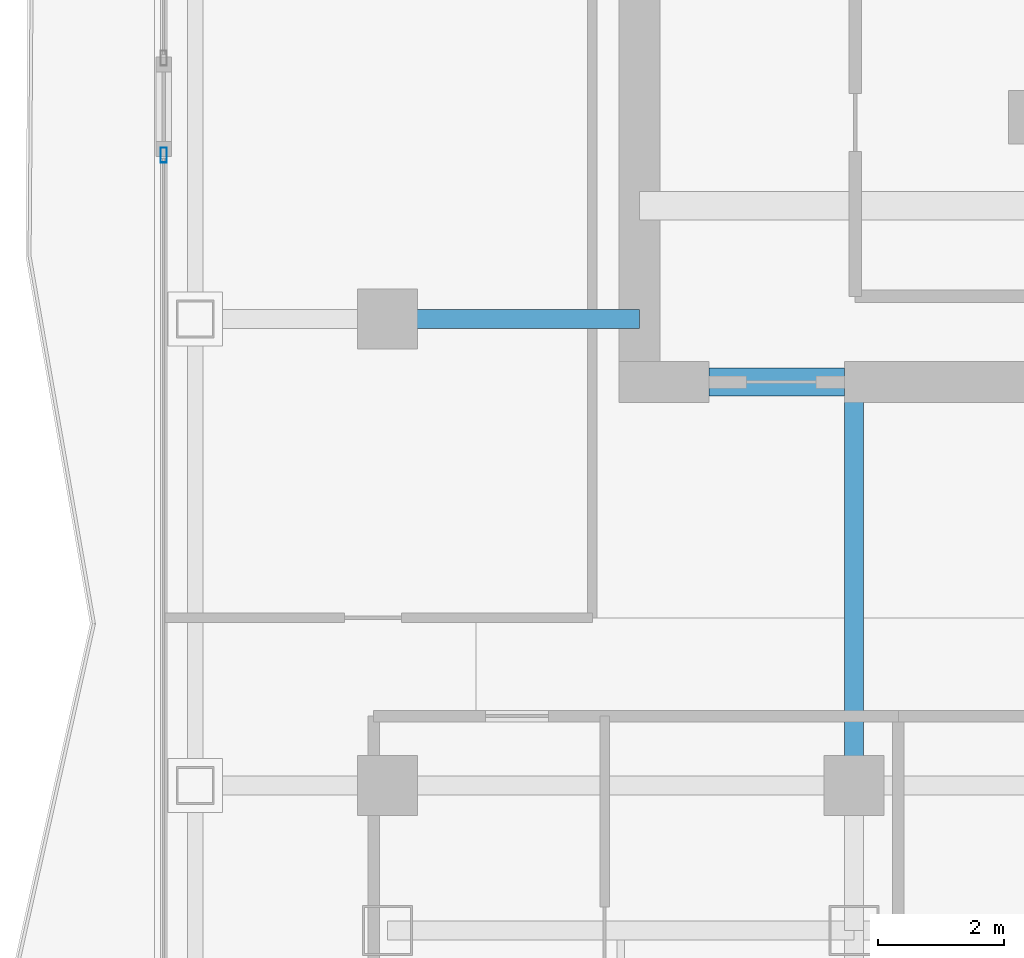
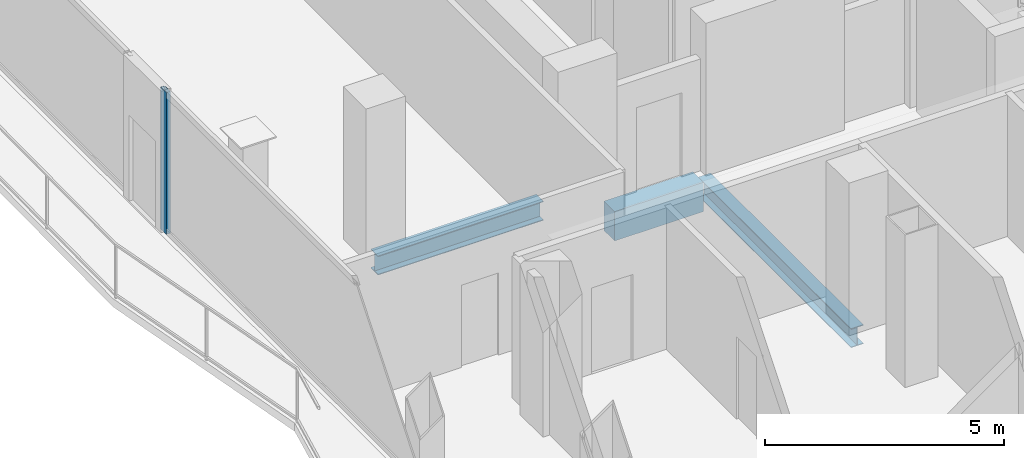
# One storey, part 6 of 26: 3 beams, 1 member, 1 element without a shape of its own.
"""IFC4 building model written with IfcOpenShell, lengths in metres."""

from ifc_helpers import new_model, si_unit, direction, frame, origin, origin_2d, place, context, subcontext, project, spatial, rectangle, hollow_rectangle, i_section, extrude, material, layer, layer_set, material_profile, profile_set, type_object, element, aggregate, save


model = new_model("IFC4")

# Units and contexts
model_context = context("Model", 3, precision=1e-05, world=origin(), true_north=direction((0.0, 1.0)))
body_context = subcontext(model_context, "Body", "Model", "MODEL_VIEW")
ifc_project = project(units=[si_unit("LENGTHUNIT", "METRE"), si_unit("AREAUNIT", "SQUARE_METRE"), si_unit("VOLUMEUNIT", "CUBIC_METRE"), si_unit("PLANEANGLEUNIT", "RADIAN"), si_unit("MASSUNIT", "GRAM", prefix="KILO")], contexts=[model_context])

# Site, building, storey
site_placement = place(None, origin())
site = spatial("IfcSite", under=ifc_project, at=site_placement, CompositionType="ELEMENT")
building_placement = place(site_placement, origin())
building = spatial("IfcBuilding", under=site, at=building_placement, Name="Khorvyn Point Tower", CompositionType="ELEMENT")
storey_placement = place(building_placement, frame((0.0, 0.0, 250.800048828125)))
storey = spatial("IfcBuildingStorey", under=building, at=storey_placement, Name="L61", CompositionType="ELEMENT", Elevation=250.800048828125)

# Curtain wall, member
ifc_material_1 = material(Name="Anodised aluminium 6063-T6 and laminated Low-E glass", Category="aluminium")
ifc_layer = layer(ifc_material_1, 0.18994140625)
ifc_layer_set = layer_set([ifc_layer], Name="Stick-Built Acoustic Curtain Wall CW-SYS-03")
curtain_wall_type = type_object("IfcCurtainWallType", Name="Stick-Built Acoustic Curtain Wall CW-SYS-03", PredefinedType="NOTDEFINED", material=ifc_layer_set)
curtain_wall_placement = place(storey_placement, origin())
curtain_wall = element("IfcCurtainWall", 1, at=curtain_wall_placement, inside=storey, type_object=curtain_wall_type, Name="Curtain Wall", PredefinedType="NOTDEFINED")
ifc_material_2 = material(Name="Anodised aluminium 6063-T6", Category="aluminium")
ifc_material_profile_1 = material_profile(ifc_material_2, hollow_rectangle(XDim=0.10009765625, YDim=0.239990234375, WallThickness=0.0048828125, at=origin_2d()))
ifc_profile_set_1 = profile_set([ifc_material_profile_1], Name="Anodised aluminium 6063-T6 ALU-MUL-100x240")
member_type = type_object("IfcMemberType", Name="Anodised Aluminium 6063-T6 Mullion ALU-MUL-100x240", PredefinedType="MULLION", material=ifc_profile_set_1)
member_placement = place(storey_placement, frame((-18.35009765625, -4.800048828125, 0.0), z_axis=(0.0, 0.0, 1.0), x_axis=(-1.0, 0.0, 0.0)))
member = element("IfcMember", 2, at=member_placement, type_object=member_type, Name="Transom", PredefinedType="MULLION", context=body_context, shape_type="SweptSolid", body=[
    extrude(hollow_rectangle(XDim=0.10009765625, YDim=0.239990234375, WallThickness=0.0048828125, at=origin_2d()), origin(), (0.0, 0.0, 1.0), 3.619873046875),
])
aggregate(curtain_wall, [member])

# Beams
ifc_material_3 = material(Name="Concrete C40/50", Category="concrete")
ifc_material_profile_2 = material_profile(ifc_material_3, rectangle(XDim=0.449951171875, YDim=0.75, at=origin_2d()))
ifc_profile_set_2 = profile_set([ifc_material_profile_2], Name="Concrete C40/50 RC450x750")
beam_type_1 = type_object("IfcBeamType", Name="Concrete C40/50 Beam RC450x750", PredefinedType="BEAM", material=ifc_profile_set_2)
beam_1_placement = place(storey_placement, frame((-9.699951171875, -8.39990234375, -0.594970703125), z_axis=(1.0, 0.0, 0.0), x_axis=(0.0, 1.0, 0.0)))
element("IfcBeam", 3, at=beam_1_placement, inside=storey, type_object=beam_type_1, Name="L61 Core Southwest Portal Coupling Beam", PredefinedType="BEAM", context=body_context, shape_type="SweptSolid", body=[
    extrude(rectangle(XDim=0.449951171875, YDim=0.75, at=origin_2d()), origin(), (0.0, 0.0, 1.0), 2.14990234375),
])
ifc_material_4 = material(Name="Steel S355", Category="steel")
ifc_material_profile_3 = material_profile(ifc_material_4, i_section(OverallWidth=0.300048828125, OverallDepth=0.488037109375, WebThickness=0.010986328125, FlangeThickness=0.01806640625, at=origin_2d()))
ifc_profile_set_3 = profile_set([ifc_material_profile_3], Name="Steel S355 H488x300x11x18")
beam_type_2 = type_object("IfcBeamType", Name="Steel S355 Spandrel H488x300x11x18", PredefinedType="SPANDREL", material=ifc_profile_set_3)
beam_2_placement = place(storey_placement, frame((-14.800048828125, -7.39990234375, -0.464111328125), z_axis=(1.0, 0.0, 0.0), x_axis=(0.0, 1.0, 0.0)))
element("IfcBeam", 4, at=beam_2_placement, inside=storey, type_object=beam_type_2, Name="Beam", PredefinedType="SPANDREL", context=body_context, shape_type="SweptSolid", body=[
    extrude(i_section(OverallWidth=0.300048828125, OverallDepth=0.488037109375, WebThickness=0.010986328125, FlangeThickness=0.01806640625, at=origin_2d()), origin(), (0.0, 0.0, 1.0), 4.0),
])
beam_3_placement = place(storey_placement, frame((-7.39990234375, -14.800048828125, -0.464111328125), z_axis=(0.0, 1.0, 0.0), x_axis=(-1.0, 0.0, 0.0)))
element("IfcBeam", 5, at=beam_3_placement, inside=storey, type_object=beam_type_2, Name="Beam", PredefinedType="SPANDREL", context=body_context, shape_type="SweptSolid", body=[
    extrude(i_section(OverallWidth=0.300048828125, OverallDepth=0.488037109375, WebThickness=0.010986328125, FlangeThickness=0.01806640625, at=origin_2d()), origin(), (0.0, 0.0, 1.0), 6.400146484375),
])

save(model, "model.ifc")
